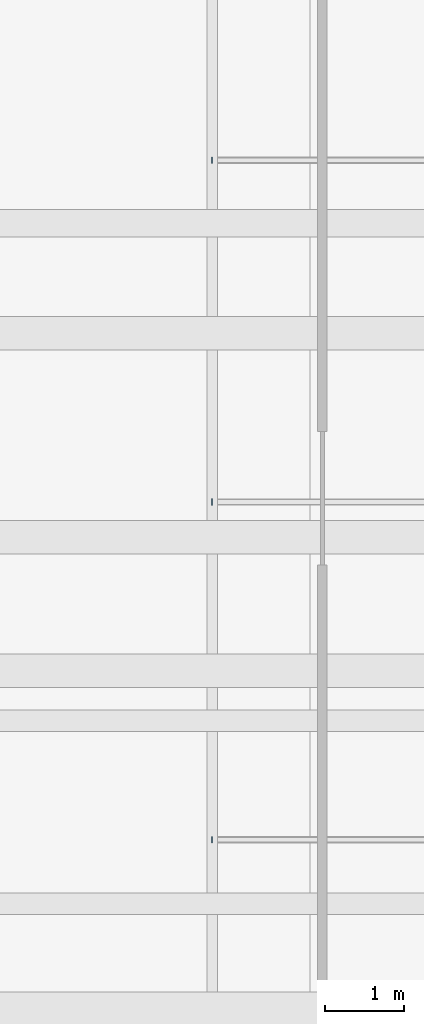
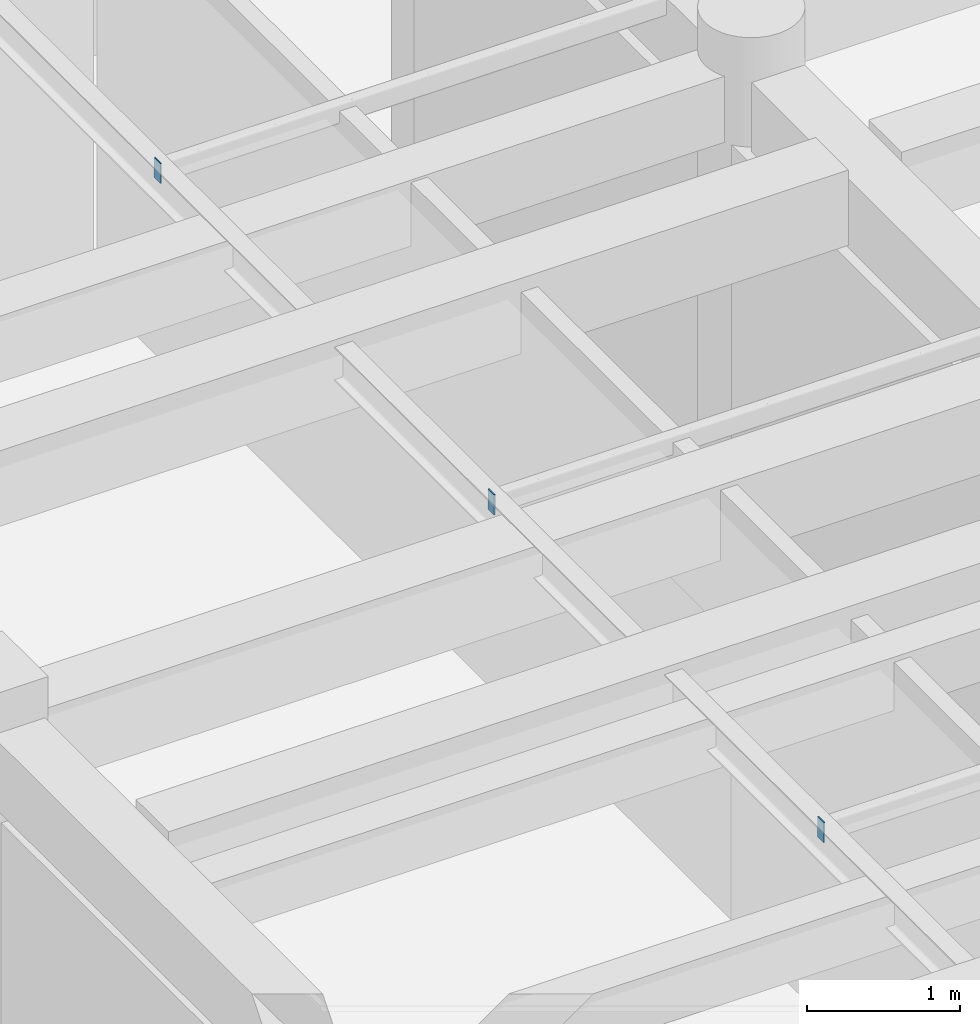
# One storey, part 19 of 33: 3 plates.
"""IFC4 building model written with IfcOpenShell, lengths in metres."""

from ifc_helpers import new_model, si_unit, direction, frame, origin, origin_2d, place, context, subcontext, project, spatial, rectangle, extrude, material, layer, layer_set, type_object, element, save


model = new_model("IFC4")

# Units and contexts
model_context = context("Model", 3, precision=1e-05, world=origin(), true_north=direction((0.0, 1.0)))
body_context = subcontext(model_context, "Body", "Model", "MODEL_VIEW")
ifc_project = project(units=[si_unit("LENGTHUNIT", "METRE"), si_unit("AREAUNIT", "SQUARE_METRE"), si_unit("VOLUMEUNIT", "CUBIC_METRE"), si_unit("PLANEANGLEUNIT", "RADIAN"), si_unit("MASSUNIT", "GRAM", prefix="KILO")], contexts=[model_context])

# Site, building, storey
site_placement = place(None, origin())
site = spatial("IfcSite", under=ifc_project, at=site_placement, CompositionType="ELEMENT")
building_placement = place(site_placement, origin())
building = spatial("IfcBuilding", under=site, at=building_placement, Name="Naurynzar Civic Courthouse", CompositionType="ELEMENT")
storey_placement = place(building_placement, frame((0.0, 0.0, 22.050048828125)))
storey = spatial("IfcBuildingStorey", under=building, at=storey_placement, Name="L06", CompositionType="ELEMENT", Elevation=22.050048828125)

# Plates
ifc_material = material(Name="Steel S355", Category="steel")
ifc_layer = layer(ifc_material, 0.010009765625)
ifc_layer_set = layer_set([ifc_layer], Name="PLT-END-160x80x10")
plate_type = type_object("IfcPlateType", Name="PLT-END-160x80x10", PredefinedType="USERDEFINED", material=ifc_layer_set)
for number, where, z_axis, x_axis, name in (
    (1, (80.9951171875, 13.14990234375, 3.28515625), (0.0, 0.0, 1.0), (1.0, 0.0, 0.0), "Law Library clerestory purlin 1 end plate 1"),
    (2, (80.9951171875, 17.449951171875, 3.28515625), (0.0, 0.0, 1.0), (1.0, 0.0, 0.0), "Law Library clerestory purlin 2 end plate 1"),
    (3, (80.9951171875, 21.800048828125, 3.28515625), (0.0, 0.0, 1.0), (1.0, 0.0, 0.0), "Law Library clerestory purlin 3 end plate 1"),
):
    element("IfcPlate", number, at=place(storey_placement, frame(where, z_axis=z_axis, x_axis=x_axis)), inside=storey, type_object=plate_type, Name=name, ObjectType="END PLATE", PredefinedType="USERDEFINED", context=body_context, shape_type="SweptSolid", body=[
        extrude(rectangle(XDim=0.010009765625, YDim=0.080078125, at=origin_2d()), origin(), (0.0, 0.0, 1.0), 0.159912109375),
    ])

save(model, "model.ifc")
